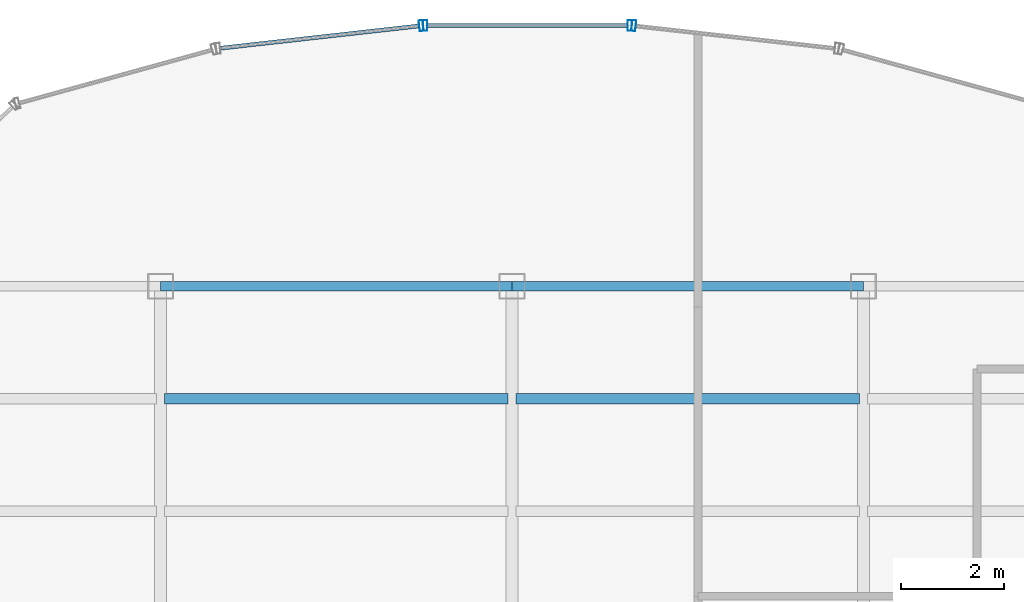
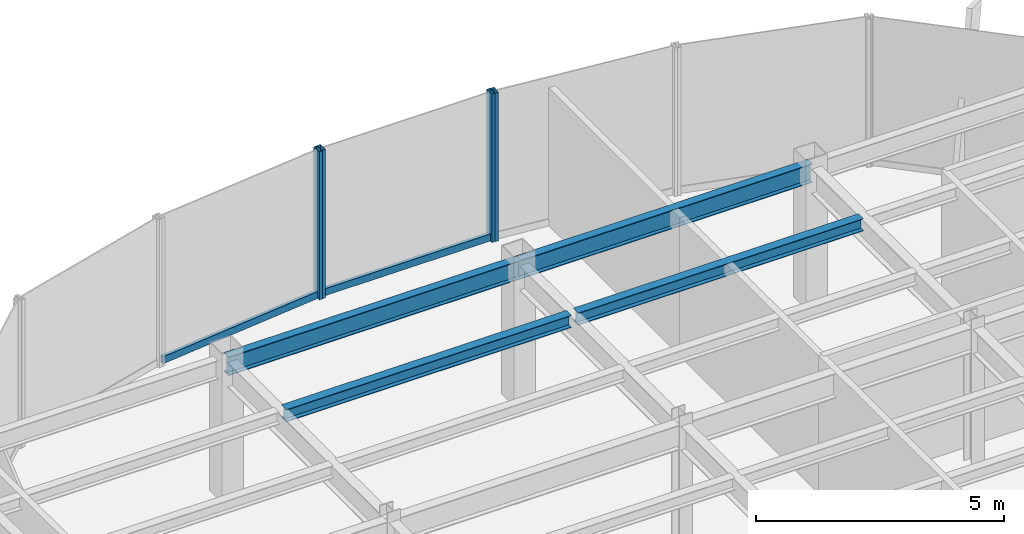
# One storey, part 13 of 22: 6 members, 4 beams, 3 elements without a shape of their own.
"""IFC4 building model written with IfcOpenShell, lengths in metres."""

import ifcopenshell
import ifcopenshell.guid

model = None  # the IFC model being written
_history = None  # IfcOwnerHistory: only IFC2X3 demands one
_inside = {}  # id of a spatial element -> (the spatial element, [elements in it])
_under = {}  # id of a project, library or spatial element -> (it, [spatial elements below it])
_declared = {}  # id of a project -> (the project, [libraries it declares])
_typed = {}  # id of a type object -> (the type object, [elements of that type])
_made_of = {}  # id of a material, layer set ... -> (it, [elements and type objects made of it])


def new_model(schema):
    """Start an empty IFC model of exactly this schema.

    Asked for "IFC4X3", IfcOpenShell would pick the latest addendum, in which some entities
    have other attributes; the version numbers below select the first issue.
    IFC2X3 requires an IfcOwnerHistory on every rooted entity: one is made here for all.
    """
    global model, _history
    if schema == "IFC4X3":
        model = ifcopenshell.file(schema_version=(4, 3, 0, 0))
    else:
        model = ifcopenshell.file(schema=schema)
    _inside.clear()
    _under.clear()
    _declared.clear()
    _typed.clear()
    _made_of.clear()
    _history = None
    if model.schema == "IFC2X3":
        org = make("IfcOrganization", Name="unknown")
        user = make(
            "IfcPersonAndOrganization",
            ThePerson=make("IfcPerson", FamilyName="unknown"),
            TheOrganization=org,
        )
        app = make(
            "IfcApplication",
            ApplicationDeveloper=org,
            Version="unknown",
            ApplicationFullName="unknown",
            ApplicationIdentifier="unknown",
        )
        _history = make(
            "IfcOwnerHistory",
            OwningUser=user,
            OwningApplication=app,
            ChangeAction="ADDED",
            CreationDate=0,
        )
    return model


def make(cls, **values):
    """One entity of the class cls with the attributes given. An attribute that is None is left unset."""
    return model.create_entity(
        cls, **{name: value for name, value in values.items() if value is not None}
    )


def rooted(cls, **values):
    """An entity with a GlobalId (a new one), such as an element, a storey or a relation."""
    return make(cls, GlobalId=ifcopenshell.guid.new(), OwnerHistory=_history, **values)


def si_unit(unit_type, name, prefix=None):
    """IfcSIUnit, for example si_unit("LENGTHUNIT", "METRE", prefix="MILLI")."""
    return make("IfcSIUnit", UnitType=unit_type, Prefix=prefix, Name=name)


def derived_unit(unit_type, elements):
    """IfcDerivedUnit: a product of units, each with its exponent."""
    return make(
        "IfcDerivedUnit",
        Elements=[
            make("IfcDerivedUnitElement", Unit=unit, Exponent=power)
            for unit, power in elements
        ],
        UnitType=unit_type,
    )


def assignment(units):
    """IfcUnitAssignment: the units of a project."""
    return None if units is None else make("IfcUnitAssignment", Units=units)


def point(xyz):
    """IfcCartesianPoint."""
    return None if xyz is None else make("IfcCartesianPoint", Coordinates=xyz)


def direction(xyz):
    """IfcDirection."""
    return None if xyz is None else make("IfcDirection", DirectionRatios=xyz)


def frame(location, z_axis=None, x_axis=None):
    """IfcAxis2Placement3D, a coordinate frame: its origin and axes. An axis left out is left unset."""
    return make(
        "IfcAxis2Placement3D",
        Location=point(location),
        Axis=direction(z_axis),
        RefDirection=direction(x_axis),
    )


def frame_2d(location, x_axis=None):
    """IfcAxis2Placement2D, a coordinate frame in the plane: its origin and x axis."""
    return make(
        "IfcAxis2Placement2D", Location=point(location), RefDirection=direction(x_axis)
    )


def origin():
    """The frame at (0, 0, 0) with its axes left unset."""
    return frame((0.0, 0.0, 0.0))


def origin_2d():
    """The frame at (0, 0) in the plane with its x axis left unset."""
    return frame_2d((0.0, 0.0))


def place(relative_to, where):
    """IfcLocalPlacement: puts the frame where relative to a parent placement (None: the world)."""
    return make(
        "IfcLocalPlacement", PlacementRelTo=relative_to, RelativePlacement=where
    )


def context(
    kind, dimensions, precision=None, world=None, true_north=None, identifier=None
):
    """IfcGeometricRepresentationContext, for example the 3D "Model" context."""
    return make(
        "IfcGeometricRepresentationContext",
        ContextIdentifier=identifier,
        ContextType=kind,
        CoordinateSpaceDimension=dimensions,
        Precision=precision,
        WorldCoordinateSystem=world,
        TrueNorth=true_north,
    )


def subcontext(parent, identifier, kind, view, scale=None):
    """IfcGeometricRepresentationSubContext, for example "Body" below "Model"."""
    return make(
        "IfcGeometricRepresentationSubContext",
        ContextIdentifier=identifier,
        ContextType=kind,
        ParentContext=parent,
        TargetScale=scale,
        TargetView=view,
    )


def project(units=None, contexts=None):
    """IfcProject with its units and contexts."""
    return rooted(
        "IfcProject",
        Name="project",
        RepresentationContexts=contexts,
        UnitsInContext=assignment(units),
    )


def spatial(cls, under=None, at=None, **own):
    """A site, building, storey or space (cls), placed at a placement, below another one or the project."""
    s = rooted(cls, ObjectPlacement=at, **own)
    if under is not None:
        _under.setdefault(under.id(), (under, []))[1].append(s)
    return s


def profile(cls, at=None, kind="AREA", **sizes):
    """A parametric profile (cls). Its sizes go by their IFC names, for example OverallWidth=200.0."""
    return make(cls, ProfileType=kind, Position=at, **sizes)


def hollow_rectangle(**sizes):
    """IfcRectangleHollowProfileDef."""
    return profile("IfcRectangleHollowProfileDef", **sizes)


def i_section(**sizes):
    """IfcIShapeProfileDef."""
    return profile("IfcIShapeProfileDef", **sizes)


def extrude(swept, where, along, depth):
    """IfcExtrudedAreaSolid: the profile swept, set in the frame where, extruded along a direction by depth."""
    return make(
        "IfcExtrudedAreaSolid",
        SweptArea=swept,
        Position=where,
        ExtrudedDirection=direction(along),
        Depth=depth,
    )


def shape(context_of_items, identifier, shape_type, items):
    """IfcShapeRepresentation: the items that make up one representation, for example the "Body"."""
    return make(
        "IfcShapeRepresentation",
        ContextOfItems=context_of_items,
        RepresentationIdentifier=identifier,
        RepresentationType=shape_type,
        Items=items,
    )


def source(mapping_origin, context_of_items, identifier, shape_type, items):
    """IfcRepresentationMap: a shape defined once, which mapped items show again and again."""
    return make(
        "IfcRepresentationMap",
        MappingOrigin=mapping_origin,
        MappedRepresentation=shape(context_of_items, identifier, shape_type, items),
    )


def transform(
    local_origin,
    x_axis=None,
    y_axis=None,
    z_axis=None,
    scale=None,
    scale2=None,
    scale3=None,
    uniform=True,
):
    """IfcCartesianTransformationOperator3D, or its non-uniform kind. x_axis, y_axis, z_axis: its Axis1, 2, 3."""
    if uniform:
        return make(
            "IfcCartesianTransformationOperator3D",
            Axis1=direction(x_axis),
            Axis2=direction(y_axis),
            LocalOrigin=point(local_origin),
            Scale=scale,
            Axis3=direction(z_axis),
        )
    return make(
        "IfcCartesianTransformationOperator3DnonUniform",
        Axis1=direction(x_axis),
        Axis2=direction(y_axis),
        LocalOrigin=point(local_origin),
        Scale=scale,
        Axis3=direction(z_axis),
        Scale2=scale2,
        Scale3=scale3,
    )


def mapped(mapping_source, mapping_target):
    """IfcMappedItem: shows the shape of a source again, moved by a transform."""
    return make(
        "IfcMappedItem", MappingSource=mapping_source, MappingTarget=mapping_target
    )


def material(Name=None, Category=None):
    """IfcMaterial."""
    return make("IfcMaterial", Name=Name, Category=Category)


def material_profile(
    of_material, cross_section, Name=None, Category=None, Priority=None
):
    """IfcMaterialProfile: a cross section and its material."""
    return make(
        "IfcMaterialProfile",
        Name=Name,
        Material=of_material,
        Profile=cross_section,
        Priority=Priority,
        Category=Category,
    )


def profile_set(profiles, Name=None, composite=None):
    """IfcMaterialProfileSet."""
    return make(
        "IfcMaterialProfileSet",
        Name=Name,
        MaterialProfiles=profiles,
        CompositeProfile=composite,
    )


def made_of(thing, what):
    """Note that an element or type object is made of a material, layer set ...; save() writes the relation."""
    if what is not None:
        _made_of.setdefault(what.id(), (what, []))[1].append(thing)
    return thing


def type_object(cls, material=None, **own):
    """A type object (cls), such as IfcWallType, which elements share."""
    return made_of(rooted(cls, **own), material)


def element(
    cls,
    number,
    at=None,
    inside=None,
    cuts=None,
    type_object=None,
    material=None,
    context=None,
    identifier="Body",
    shape_type=None,
    held_by="IfcProductDefinitionShape",
    body=None,
    shapes=None,
    **own,
):
    """One element of the class cls, such as IfcWall. Its Tag is "e" and its number.

    at: its placement. inside: the storey or other place that contains it. cuts: it is an
    opening in that element (IfcRelVoidsElement). A single representation is given by context,
    identifier, shape_type and body (its items); several are given by shapes. held_by: the class
    of the entity that holds the representations. save() writes the other relations.
    """
    e = rooted(cls, Tag="e%d" % number, ObjectPlacement=at, **own)
    if body is not None:
        shapes = [shape(context, identifier, shape_type, body)]
    if shapes is not None:
        e.Representation = make(held_by, Representations=shapes)
    if inside is not None:
        _inside.setdefault(inside.id(), (inside, []))[1].append(e)
    if cuts is not None:
        rooted(
            "IfcRelVoidsElement", RelatingBuildingElement=cuts, RelatedOpeningElement=e
        )
    if type_object is not None:
        _typed.setdefault(type_object.id(), (type_object, []))[1].append(e)
    return made_of(e, material)


def aggregate(whole, parts):
    """IfcRelAggregates: a whole, such as a stair, and the parts it consists of."""
    return rooted("IfcRelAggregates", RelatingObject=whole, RelatedObjects=parts)


def save(model, path):
    """Write the relations noted so far, then the file.

    IfcRelAggregates (storeys below a building ...), IfcRelContainedInSpatialStructure (elements
    in a storey), IfcRelDefinesByType, IfcRelAssociatesMaterial and IfcRelDeclares: one each for
    every whole, place, type object, material and project.
    """
    for whole, parts in _under.values():
        aggregate(whole, parts)
    for where, things in _inside.values():
        rooted(
            "IfcRelContainedInSpatialStructure",
            RelatedElements=things,
            RelatingStructure=where,
        )
    for kind, things in _typed.values():
        rooted("IfcRelDefinesByType", RelatedObjects=things, RelatingType=kind)
    for what, things in _made_of.values():
        rooted("IfcRelAssociatesMaterial", RelatedObjects=things, RelatingMaterial=what)
    for by, libraries in _declared.values():
        rooted("IfcRelDeclares", RelatingContext=by, RelatedDefinitions=libraries)
    model.write(path)


model = new_model("IFC4")

# Units and contexts
model_context = context("Model", 3, precision=1e-05, world=origin(), true_north=direction((0.0, 1.0)))
body_context = subcontext(model_context, "Body", "Model", "MODEL_VIEW")
ifc_project = project(units=[si_unit("LENGTHUNIT", "METRE"), si_unit("AREAUNIT", "SQUARE_METRE"), si_unit("VOLUMEUNIT", "CUBIC_METRE"), si_unit("PLANEANGLEUNIT", "RADIAN"), si_unit("MASSUNIT", "GRAM", prefix="KILO"), derived_unit("THERMALTRANSMITTANCEUNIT", [(si_unit("POWERUNIT", "WATT"), 1), (si_unit("LENGTHUNIT", "METRE"), -2), (si_unit("THERMODYNAMICTEMPERATUREUNIT", "KELVIN"), -1)])], contexts=[model_context])

# Site, building, storey
site_placement = place(None, origin())
site = spatial("IfcSite", under=ifc_project, at=site_placement, CompositionType="ELEMENT")
building_placement = place(site_placement, origin())
building = spatial("IfcBuilding", under=site, at=building_placement, Name="Skarnbrae Concourse Arena and Tower", CompositionType="ELEMENT")
storey_placement = place(building_placement, frame((0.0, 0.0, 262.449951171875)))
storey = spatial("IfcBuildingStorey", under=building, at=storey_placement, Name="L68", CompositionType="ELEMENT", Elevation=262.449951171875)

# Beams
ifc_material_1 = material(Name="Steel CSA G40.21 350W", Category="steel")
ifc_material_profile_1 = material_profile(ifc_material_1, i_section(OverallWidth=0.19091796875, OverallDepth=0.4599609375, WebThickness=0.010009765625, FlangeThickness=0.01611328125, at=origin_2d()), Name="W460X82")
ifc_profile_set_1 = profile_set([ifc_material_profile_1], Name="Steel CSA G40.21 350W")
beam_type_1 = type_object("IfcBeamType", Name="BM-SPAN-W460X82", PredefinedType="SPANDREL", material=ifc_profile_set_1)
shared_shape_1 = source(origin(), body_context, "Body", "SweptSolid", [
    extrude(i_section(OverallWidth=0.19091796875, OverallDepth=0.4599609375, WebThickness=0.010009765625, FlangeThickness=0.01611328125, at=origin_2d()), origin(), (0.0, 0.0, 1.0), 6.800048828125),
])
for number, where, z_axis, x_axis, name in (
    (1, (14.39990234375, 34.39990234375, 3.170166015625), (1.0, 0.0, 0.0), (0.0, 1.0, 0.0), "L68 Perimeter spandrel Y34.4-2"),
    (2, (21.199951171875, 34.39990234375, 3.170166015625), (1.0, 0.0, 0.0), (0.0, 1.0, 0.0), "L68 Perimeter spandrel Y34.4-3"),
):
    element("IfcBeam", number, at=place(storey_placement, frame(where, z_axis=z_axis, x_axis=x_axis)), inside=storey, type_object=beam_type_1, Name=name, PredefinedType="SPANDREL", context=body_context, shape_type="MappedRepresentation", body=[
        mapped(shared_shape_1, transform((0.0, 0.0, 0.0))),
    ])
ifc_material_profile_2 = material_profile(ifc_material_1, i_section(OverallWidth=0.202880859375, OverallDepth=0.302978515625, WebThickness=0.007568359375, FlangeThickness=0.01318359375, at=origin_2d()), Name="W310X60")
ifc_profile_set_2 = profile_set([ifc_material_profile_2], Name="Steel CSA G40.21 350W")
beam_type_2 = type_object("IfcBeamType", Name="BM-JOIST-W310X60", PredefinedType="JOIST", material=ifc_profile_set_2)
shared_shape_2 = source(origin(), body_context, "Body", "SweptSolid", [
    extrude(i_section(OverallWidth=0.202880859375, OverallDepth=0.302978515625, WebThickness=0.007568359375, FlangeThickness=0.01318359375, at=origin_2d()), origin(), (0.0, 0.0, 1.0), 6.64013671875),
])
beam_1_placement = place(storey_placement, frame((14.47998046875, 32.221923828125, 3.24853515625), z_axis=(1.0, 0.0, 0.0), x_axis=(0.0, 1.0, 0.0)))
element("IfcBeam", 3, at=beam_1_placement, inside=storey, type_object=beam_type_2, Name="L68 Secondary floor joist 3.2.2", PredefinedType="JOIST", context=body_context, shape_type="MappedRepresentation", body=[
    mapped(shared_shape_2, transform((0.0, 0.0, 0.0))),
])
shared_shape_3 = source(origin(), body_context, "Body", "SweptSolid", [
    extrude(i_section(OverallWidth=0.202880859375, OverallDepth=0.302978515625, WebThickness=0.007568359375, FlangeThickness=0.01318359375, at=origin_2d()), origin(), (0.0, 0.0, 1.0), 6.639892578125),
])
beam_2_placement = place(storey_placement, frame((21.280029296875, 32.221923828125, 3.24853515625), z_axis=(1.0, 0.0, 0.0), x_axis=(0.0, 1.0, 0.0)))
element("IfcBeam", 4, at=beam_2_placement, inside=storey, type_object=beam_type_2, Name="L68 Secondary floor joist 3.2.3", PredefinedType="JOIST", context=body_context, shape_type="MappedRepresentation", body=[
    mapped(shared_shape_3, transform((0.0, 0.0, 0.0))),
])

# Curtain wall, member
ifc_material_2 = material(Name="Bronze anodised aluminium 6063-T6", Category="aluminium")
curtain_wall_type = type_object("IfcCurtainWallType", Name="CW-SYS-03-PORTAL", PredefinedType="USERDEFINED", material=ifc_material_2)
curtain_wall_1_placement = place(storey_placement, origin())
curtain_wall_1 = element("IfcCurtainWall", 5, at=curtain_wall_1_placement, inside=storey, type_object=curtain_wall_type, Name="L68 Unitised curtain wall CW-L68-E10", ObjectType="UNITISED CURTAIN WALL", PredefinedType="USERDEFINED")
ifc_material_profile_3 = material_profile(ifc_material_2, hollow_rectangle(XDim=0.080078125, YDim=0.2099609375, WallThickness=0.00439453125, at=origin_2d()), Name="ALU-MULL-80X210")
ifc_profile_set_3 = profile_set([ifc_material_profile_3], Name="Bronze anodised aluminium 6063-T6")
member_type_1 = type_object("IfcMemberType", Name="CWM-CW-03", PredefinedType="MULLION", material=ifc_profile_set_3)
shared_shape_4 = source(origin(), body_context, "Body", "SweptSolid", [
    extrude(hollow_rectangle(XDim=0.080078125, YDim=0.2099609375, WallThickness=0.00439453125, at=origin_2d()), origin(), (0.0, 0.0, 1.0), 3.650146484375),
])
member_1_placement = place(storey_placement, frame((23.556884765625, 39.442138671875, 0.0), z_axis=(0.0, 0.0, 1.0), x_axis=(-0.993768891873, 0.111460259941, 0.0)))
member_1 = element("IfcMember", 6, at=member_1_placement, type_object=member_type_1, Name="CW-L68-E10 Mullion 2", PredefinedType="MULLION", context=body_context, shape_type="MappedRepresentation", body=[
    mapped(shared_shape_4, transform((0.0, 0.0, 0.0))),
])
aggregate(curtain_wall_1, [member_1])

# Curtain wall, members
curtain_wall_2_placement = place(storey_placement, origin())
curtain_wall_2 = element("IfcCurtainWall", 7, at=curtain_wall_2_placement, inside=storey, type_object=curtain_wall_type, Name="L68 Unitised curtain wall CW-L68-E11", ObjectType="UNITISED CURTAIN WALL", PredefinedType="USERDEFINED")
member_2_placement = place(storey_placement, frame((23.477294921875, 39.44677734375, 0.0), z_axis=(0.0, 0.0, 1.0), x_axis=(-1.0, 0.0, 0.0)))
member_2 = element("IfcMember", 8, at=member_2_placement, type_object=member_type_1, Name="CW-L68-E11 Mullion 1", PredefinedType="MULLION", context=body_context, shape_type="MappedRepresentation", body=[
    mapped(shared_shape_4, transform((0.0, 0.0, 0.0))),
])
member_3_placement = place(storey_placement, frame((19.522705078125, 39.44677734375, 0.0), z_axis=(0.0, 0.0, 1.0), x_axis=(-1.0, 0.0, 0.0)))
member_3 = element("IfcMember", 9, at=member_3_placement, type_object=member_type_1, Name="CW-L68-E11 Mullion 2", PredefinedType="MULLION", context=body_context, shape_type="MappedRepresentation", body=[
    mapped(shared_shape_4, transform((0.0, 0.0, 0.0))),
])

curtain_wall_3_placement = place(storey_placement, origin())
curtain_wall_3 = element("IfcCurtainWall", 10, at=curtain_wall_3_placement, inside=storey, type_object=curtain_wall_type, Name="L68 Unitised curtain wall CW-L68-E12", ObjectType="UNITISED CURTAIN WALL", PredefinedType="USERDEFINED")
member_4_placement = place(storey_placement, frame((19.443115234375, 39.442138671875, 0.0), z_axis=(0.0, 0.0, 1.0), x_axis=(-0.993768891873, -0.111460259941, 0.0)))
member_4 = element("IfcMember", 11, at=member_4_placement, type_object=member_type_1, Name="CW-L68-E12 Mullion 1", PredefinedType="MULLION", context=body_context, shape_type="MappedRepresentation", body=[
    mapped(shared_shape_4, transform((0.0, 0.0, 0.0))),
])
ifc_material_profile_4 = material_profile(ifc_material_2, hollow_rectangle(XDim=0.080078125, YDim=0.169921875, WallThickness=0.00439453125, at=origin_2d()), Name="ALU-TRAN-80X170")
ifc_profile_set_4 = profile_set([ifc_material_profile_4], Name="Bronze anodised aluminium 6063-T6")
member_type_2 = type_object("IfcMemberType", Name="CWT-CW-03", PredefinedType="USERDEFINED", material=ifc_profile_set_4)
shared_shape_5 = source(origin(), body_context, "Body", "SweptSolid", [
    extrude(hollow_rectangle(XDim=0.080078125, YDim=0.169921875, WallThickness=0.00439453125, at=origin_2d()), origin(), (0.0, 0.0, 1.0), 3.873779296875),
])
member_5_placement = place(storey_placement, frame((19.4033203125, 39.437744140625, 0.0849609375), z_axis=(-0.993772558096, -0.111427567397, 0.0), x_axis=(0.111427567397, -0.993772558096, 0.0)))
member_5 = element("IfcMember", 12, at=member_5_placement, type_object=member_type_2, Name="CW-L68-E12 Transom 1", ObjectType="TRANSOM", PredefinedType="USERDEFINED", context=body_context, shape_type="MappedRepresentation", body=[
    mapped(shared_shape_5, transform((0.0, 0.0, 0.0))),
])
aggregate(curtain_wall_3, [member_4, member_5])

# Member
shared_shape_6 = source(origin(), body_context, "Body", "SweptSolid", [
    extrude(hollow_rectangle(XDim=0.080078125, YDim=0.169921875, WallThickness=0.00439453125, at=origin_2d()), origin(), (0.0, 0.0, 1.0), 3.87451171875),
])
member_6_placement = place(storey_placement, frame((23.437255859375, 39.44677734375, 0.0849609375), z_axis=(-1.0, 0.0, 0.0), x_axis=(0.0, -1.0, 0.0)))
member_6 = element("IfcMember", 13, at=member_6_placement, type_object=member_type_2, Name="CW-L68-E11 Transom 1", ObjectType="TRANSOM", PredefinedType="USERDEFINED", context=body_context, shape_type="MappedRepresentation", body=[
    mapped(shared_shape_6, transform((0.0, 0.0, 0.0))),
])

aggregate(curtain_wall_2, [member_2, member_3, member_6])

save(model, "model.ifc")
